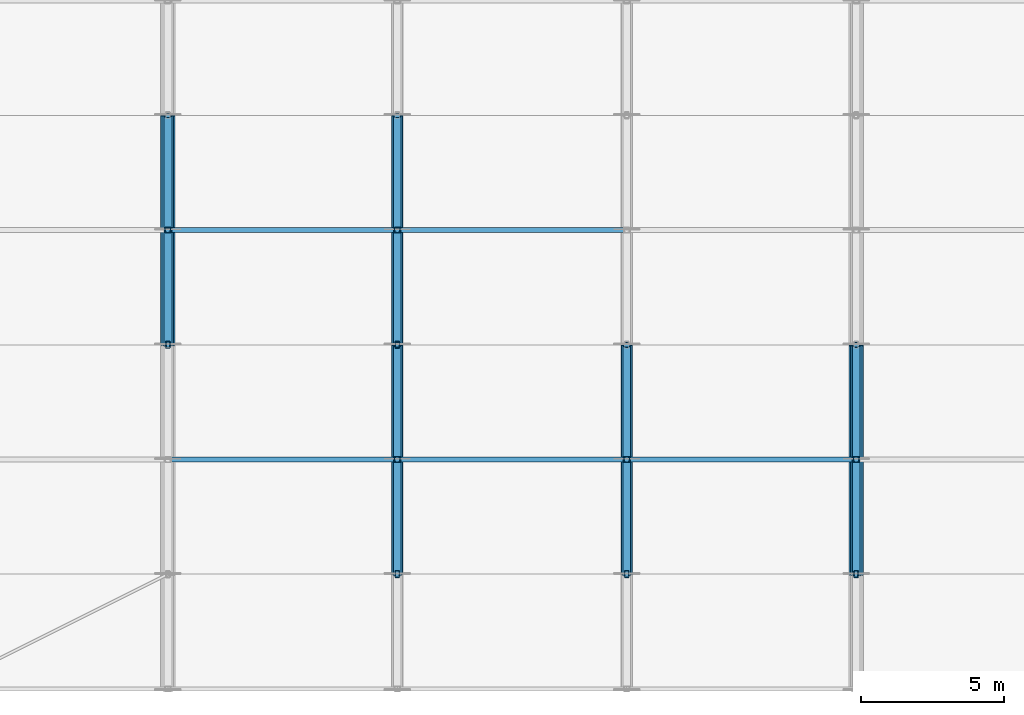
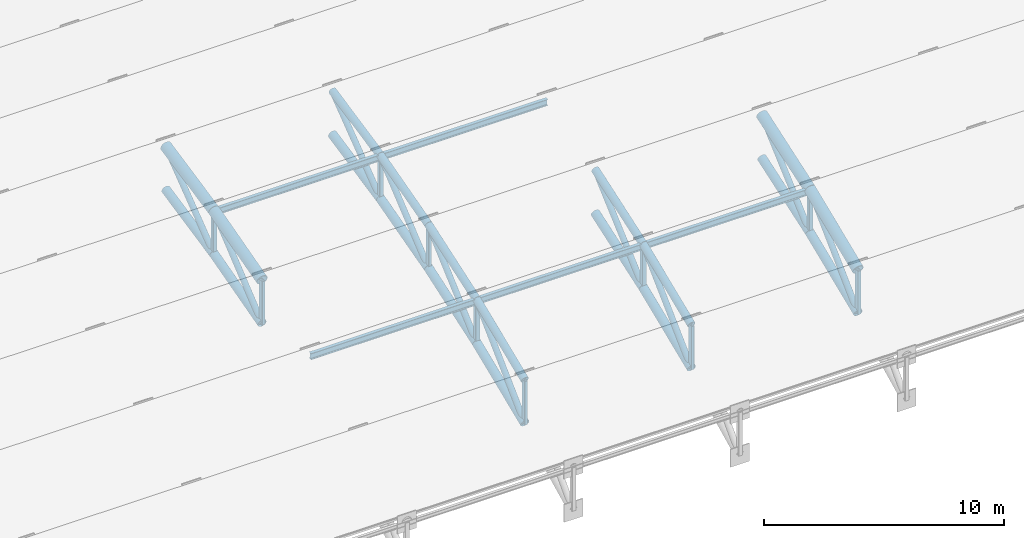
# One storey, part 27 of 98: 45 members.
"""IFC4 building model written with IfcOpenShell, lengths in metres."""

from ifc_helpers import new_model, si_unit, direction, frame, origin, origin_2d, place, context, subcontext, project, spatial, hollow_rectangle, hollow_circle, i_section, extrude, material, material_profile, profile_set, type_object, element, save


model = new_model("IFC4")

# Units and contexts
model_context = context("Model", 3, precision=1e-05, world=origin(), true_north=direction((0.0, 1.0)))
body_context = subcontext(model_context, "Body", "Model", "MODEL_VIEW")
ifc_project = project(units=[si_unit("LENGTHUNIT", "METRE"), si_unit("AREAUNIT", "SQUARE_METRE"), si_unit("VOLUMEUNIT", "CUBIC_METRE"), si_unit("PLANEANGLEUNIT", "RADIAN"), si_unit("MASSUNIT", "GRAM", prefix="KILO")], contexts=[model_context])

# Site, building, storey
site_placement = place(None, origin())
site = spatial("IfcSite", under=ifc_project, at=site_placement, CompositionType="ELEMENT")
building_placement = place(site_placement, origin())
building = spatial("IfcBuilding", under=site, at=building_placement, Name="Tlacozan Convention Centre", CompositionType="ELEMENT")
storey_placement = place(building_placement, frame((0.0, 0.0, 25.800048828125)))
storey = spatial("IfcBuildingStorey", under=building, at=storey_placement, Name="Roof", CompositionType="ELEMENT", Elevation=25.800048828125)

# Members
ifc_material_1 = material(Name="Steel ASTM A500 Grade C", Category="steel")
ifc_material_profile_1 = material_profile(ifc_material_1, hollow_circle(Radius=0.203125, WallThickness=0.015869140625, at=origin_2d()), Name="OC 406.4x15.9")
ifc_profile_set_1 = profile_set([ifc_material_profile_1], Name="Steel ASTM A500 Grade C")
member_type_1 = type_object("IfcMemberType", Name="Arch Bottom Chord OC 406.4x15.9", PredefinedType="CHORD", material=ifc_profile_set_1)
member_1_placement = place(storey_placement, frame((96.0, 74.0, -7.807861328125), z_axis=(0.0, 0.964289609145, 0.26485005134), x_axis=(-1.0, 0.0, 0.0)))
element("IfcMember", 1, at=member_1_placement, inside=storey, type_object=member_type_1, Name="V2A Roof Truss 13 Bottom Chord 4", PredefinedType="CHORD", context=body_context, shape_type="SweptSolid", body=[
    extrude(hollow_circle(Radius=0.203125, WallThickness=0.015869140625, at=origin_2d()), origin(), (0.0, 0.0, 1.0), 4.148193359375),
])
member_2_placement = place(storey_placement, frame((96.0, 78.0, -6.709228515625), z_axis=(0.0, 0.978552953366, 0.205995430674), x_axis=(-1.0, 0.0, 0.0)))
element("IfcMember", 2, at=member_2_placement, inside=storey, type_object=member_type_1, Name="V2A Roof Truss 13 Bottom Chord 5", PredefinedType="CHORD", context=body_context, shape_type="SweptSolid", body=[
    extrude(hollow_circle(Radius=0.203125, WallThickness=0.015869140625, at=origin_2d()), origin(), (0.0, 0.0, 1.0), 4.087646484375),
])
member_3_placement = place(storey_placement, frame((104.0, 66.0, -10.832275390625), z_axis=(0.0, 0.923948802258, 0.382516157575), x_axis=(-1.0, 0.0, 0.0)))
element("IfcMember", 3, at=member_3_placement, inside=storey, type_object=member_type_1, Name="V2A Roof Truss 14 Bottom Chord 2", PredefinedType="CHORD", context=body_context, shape_type="SweptSolid", body=[
    extrude(hollow_circle(Radius=0.203125, WallThickness=0.015869140625, at=origin_2d()), origin(), (0.0, 0.0, 1.0), 4.329345703125),
])
member_4_placement = place(storey_placement, frame((104.0, 70.0, -9.17626953125), z_axis=(0.0, 0.946164915813, 0.323684958077), x_axis=(-1.0, 0.0, 0.0)))
element("IfcMember", 4, at=member_4_placement, inside=storey, type_object=member_type_1, Name="V2A Roof Truss 14 Bottom Chord 3", PredefinedType="CHORD", context=body_context, shape_type="SweptSolid", body=[
    extrude(hollow_circle(Radius=0.203125, WallThickness=0.015869140625, at=origin_2d()), origin(), (0.0, 0.0, 1.0), 4.2275390625),
])
member_5_placement = place(storey_placement, frame((104.0, 74.0, -7.807861328125), z_axis=(0.0, 0.964289609145, 0.26485005134), x_axis=(-1.0, 0.0, 0.0)))
element("IfcMember", 5, at=member_5_placement, inside=storey, type_object=member_type_1, Name="V2A Roof Truss 14 Bottom Chord 4", PredefinedType="CHORD", context=body_context, shape_type="SweptSolid", body=[
    extrude(hollow_circle(Radius=0.203125, WallThickness=0.015869140625, at=origin_2d()), origin(), (0.0, 0.0, 1.0), 4.148193359375),
])
member_6_placement = place(storey_placement, frame((104.0, 78.0, -6.709228515625), z_axis=(0.0, 0.978552953366, 0.205995430674), x_axis=(-1.0, 0.0, 0.0)))
element("IfcMember", 6, at=member_6_placement, inside=storey, type_object=member_type_1, Name="V2A Roof Truss 14 Bottom Chord 5", PredefinedType="CHORD", context=body_context, shape_type="SweptSolid", body=[
    extrude(hollow_circle(Radius=0.203125, WallThickness=0.015869140625, at=origin_2d()), origin(), (0.0, 0.0, 1.0), 4.087646484375),
])
member_7_placement = place(storey_placement, frame((112.0, 66.0, -10.832275390625), z_axis=(0.0, 0.923948802258, 0.382516157575), x_axis=(-1.0, 0.0, 0.0)))
element("IfcMember", 7, at=member_7_placement, inside=storey, type_object=member_type_1, Name="V2A Roof Truss 15 Bottom Chord 2", PredefinedType="CHORD", context=body_context, shape_type="SweptSolid", body=[
    extrude(hollow_circle(Radius=0.203125, WallThickness=0.015869140625, at=origin_2d()), origin(), (0.0, 0.0, 1.0), 4.329345703125),
])
member_8_placement = place(storey_placement, frame((112.0, 70.0, -9.17626953125), z_axis=(0.0, 0.946164915813, 0.323684958077), x_axis=(-1.0, 0.0, 0.0)))
element("IfcMember", 8, at=member_8_placement, inside=storey, type_object=member_type_1, Name="V2A Roof Truss 15 Bottom Chord 3", PredefinedType="CHORD", context=body_context, shape_type="SweptSolid", body=[
    extrude(hollow_circle(Radius=0.203125, WallThickness=0.015869140625, at=origin_2d()), origin(), (0.0, 0.0, 1.0), 4.2275390625),
])
member_9_placement = place(storey_placement, frame((120.0, 66.0, -10.832275390625), z_axis=(0.0, 0.923948802258, 0.382516157575), x_axis=(-1.0, 0.0, 0.0)))
element("IfcMember", 9, at=member_9_placement, inside=storey, type_object=member_type_1, Name="V2A Roof Truss 16 Bottom Chord 2", PredefinedType="CHORD", context=body_context, shape_type="SweptSolid", body=[
    extrude(hollow_circle(Radius=0.203125, WallThickness=0.015869140625, at=origin_2d()), origin(), (0.0, 0.0, 1.0), 4.329345703125),
])
member_10_placement = place(storey_placement, frame((120.0, 70.0, -9.17626953125), z_axis=(0.0, 0.946164915813, 0.323684958077), x_axis=(-1.0, 0.0, 0.0)))
element("IfcMember", 10, at=member_10_placement, inside=storey, type_object=member_type_1, Name="V2A Roof Truss 16 Bottom Chord 3", PredefinedType="CHORD", context=body_context, shape_type="SweptSolid", body=[
    extrude(hollow_circle(Radius=0.203125, WallThickness=0.015869140625, at=origin_2d()), origin(), (0.0, 0.0, 1.0), 4.2275390625),
])
ifc_material_profile_2 = material_profile(ifc_material_1, hollow_circle(Radius=0.25390625, WallThickness=0.01904296875, at=origin_2d()), Name="OC 508.0x19.1")
ifc_profile_set_2 = profile_set([ifc_material_profile_2], Name="Steel ASTM A500 Grade C")
member_type_2 = type_object("IfcMemberType", Name="Arch Top Chord OC 508x19.1", PredefinedType="CHORD", material=ifc_profile_set_2)
member_11_placement = place(storey_placement, frame((96.0, 74.0, -5.607666015625), z_axis=(0.0, 0.964304639076, 0.264795322949), x_axis=(-1.0, 0.0, 0.0)))
element("IfcMember", 11, at=member_11_placement, inside=storey, type_object=member_type_2, Name="V2A Roof Truss 13 Top Chord 4", PredefinedType="CHORD", context=body_context, shape_type="SweptSolid", body=[
    extrude(hollow_circle(Radius=0.25390625, WallThickness=0.01904296875, at=origin_2d()), origin(), (0.0, 0.0, 1.0), 4.14794921875),
])
member_12_placement = place(storey_placement, frame((96.0, 78.0, -4.50927734375), z_axis=(0.0, 0.978552953366, 0.205995430674), x_axis=(-1.0, 0.0, 0.0)))
element("IfcMember", 12, at=member_12_placement, inside=storey, type_object=member_type_2, Name="V2A Roof Truss 13 Top Chord 5", PredefinedType="CHORD", context=body_context, shape_type="SweptSolid", body=[
    extrude(hollow_circle(Radius=0.25390625, WallThickness=0.01904296875, at=origin_2d()), origin(), (0.0, 0.0, 1.0), 4.087646484375),
])
member_13_placement = place(storey_placement, frame((120.0, 66.0, -8.63232421875), z_axis=(0.0, 0.923928870591, 0.382564297979), x_axis=(-1.0, 0.0, 0.0)))
element("IfcMember", 13, at=member_13_placement, inside=storey, type_object=member_type_2, Name="V2A Roof Truss 16 Top Chord 2", PredefinedType="CHORD", context=body_context, shape_type="SweptSolid", body=[
    extrude(hollow_circle(Radius=0.25390625, WallThickness=0.01904296875, at=origin_2d()), origin(), (0.0, 0.0, 1.0), 4.329345703125),
])
member_14_placement = place(storey_placement, frame((120.0, 70.0, -6.97607421875), z_axis=(0.0, 0.946164915813, 0.323684958077), x_axis=(-1.0, 0.0, 0.0)))
element("IfcMember", 14, at=member_14_placement, inside=storey, type_object=member_type_2, Name="V2A Roof Truss 16 Top Chord 3", PredefinedType="CHORD", context=body_context, shape_type="SweptSolid", body=[
    extrude(hollow_circle(Radius=0.25390625, WallThickness=0.01904296875, at=origin_2d()), origin(), (0.0, 0.0, 1.0), 4.2275390625),
])
ifc_material_profile_3 = material_profile(ifc_material_1, hollow_circle(Radius=0.136474609375, WallThickness=0.0126953125, at=origin_2d()), Name="OC 273.1x12.7")
ifc_profile_set_3 = profile_set([ifc_material_profile_3], Name="Steel ASTM A500 Grade C")
member_type_3 = type_object("IfcMemberType", Name="Arch Web Diagonal OC 273.1x12.7", PredefinedType="BRACE", material=ifc_profile_set_3)
member_15_placement = place(storey_placement, frame((96.0, 74.0, -7.807861328125), z_axis=(0.0, 0.771507331308, 0.63622043172), x_axis=(-1.0, 0.0, 0.0)))
element("IfcMember", 15, at=member_15_placement, inside=storey, type_object=member_type_3, Name="V2A Roof Truss 13 Web Diagonal 4", PredefinedType="BRACE", context=body_context, shape_type="SweptSolid", body=[
    extrude(hollow_circle(Radius=0.136474609375, WallThickness=0.0126953125, at=origin_2d()), origin(), (0.0, 0.0, 1.0), 5.1845703125),
])
member_16_placement = place(storey_placement, frame((96.0, 78.0, -6.709228515625), z_axis=(0.0, 0.795971176065, 0.605334524766), x_axis=(-1.0, 0.0, 0.0)))
element("IfcMember", 16, at=member_16_placement, inside=storey, type_object=member_type_3, Name="V2A Roof Truss 13 Web Diagonal 5", PredefinedType="BRACE", context=body_context, shape_type="SweptSolid", body=[
    extrude(hollow_circle(Radius=0.136474609375, WallThickness=0.0126953125, at=origin_2d()), origin(), (0.0, 0.0, 1.0), 5.025390625),
])
member_17_placement = place(storey_placement, frame((104.0, 66.0, -10.832275390625), z_axis=(0.0, 0.719928977367, 0.694047741547), x_axis=(-1.0, 0.0, 0.0)))
element("IfcMember", 17, at=member_17_placement, inside=storey, type_object=member_type_3, Name="V2A Roof Truss 14 Web Diagonal 2", PredefinedType="BRACE", context=body_context, shape_type="SweptSolid", body=[
    extrude(hollow_circle(Radius=0.136474609375, WallThickness=0.0126953125, at=origin_2d()), origin(), (0.0, 0.0, 1.0), 5.55615234375),
])
member_18_placement = place(storey_placement, frame((104.0, 70.0, -9.17626953125), z_axis=(0.0, 0.746199427712, 0.665722475272), x_axis=(-1.0, 0.0, 0.0)))
element("IfcMember", 18, at=member_18_placement, inside=storey, type_object=member_type_3, Name="V2A Roof Truss 14 Web Diagonal 3", PredefinedType="BRACE", context=body_context, shape_type="SweptSolid", body=[
    extrude(hollow_circle(Radius=0.136474609375, WallThickness=0.0126953125, at=origin_2d()), origin(), (0.0, 0.0, 1.0), 5.360595703125),
])
member_19_placement = place(storey_placement, frame((104.0, 74.0, -7.807861328125), z_axis=(0.0, 0.771507331308, 0.63622043172), x_axis=(-1.0, 0.0, 0.0)))
element("IfcMember", 19, at=member_19_placement, inside=storey, type_object=member_type_3, Name="V2A Roof Truss 14 Web Diagonal 4", PredefinedType="BRACE", context=body_context, shape_type="SweptSolid", body=[
    extrude(hollow_circle(Radius=0.136474609375, WallThickness=0.0126953125, at=origin_2d()), origin(), (0.0, 0.0, 1.0), 5.1845703125),
])
member_20_placement = place(storey_placement, frame((104.0, 78.0, -6.709228515625), z_axis=(0.0, 0.795971176065, 0.605334524766), x_axis=(-1.0, 0.0, 0.0)))
element("IfcMember", 20, at=member_20_placement, inside=storey, type_object=member_type_3, Name="V2A Roof Truss 14 Web Diagonal 5", PredefinedType="BRACE", context=body_context, shape_type="SweptSolid", body=[
    extrude(hollow_circle(Radius=0.136474609375, WallThickness=0.0126953125, at=origin_2d()), origin(), (0.0, 0.0, 1.0), 5.025390625),
])
member_21_placement = place(storey_placement, frame((112.0, 66.0, -10.832275390625), z_axis=(0.0, 0.719928977367, 0.694047741547), x_axis=(-1.0, 0.0, 0.0)))
element("IfcMember", 21, at=member_21_placement, inside=storey, type_object=member_type_3, Name="V2A Roof Truss 15 Web Diagonal 2", PredefinedType="BRACE", context=body_context, shape_type="SweptSolid", body=[
    extrude(hollow_circle(Radius=0.136474609375, WallThickness=0.0126953125, at=origin_2d()), origin(), (0.0, 0.0, 1.0), 5.55615234375),
])
member_22_placement = place(storey_placement, frame((112.0, 70.0, -9.17626953125), z_axis=(0.0, 0.746199427712, 0.665722475272), x_axis=(-1.0, 0.0, 0.0)))
element("IfcMember", 22, at=member_22_placement, inside=storey, type_object=member_type_3, Name="V2A Roof Truss 15 Web Diagonal 3", PredefinedType="BRACE", context=body_context, shape_type="SweptSolid", body=[
    extrude(hollow_circle(Radius=0.136474609375, WallThickness=0.0126953125, at=origin_2d()), origin(), (0.0, 0.0, 1.0), 5.360595703125),
])
member_23_placement = place(storey_placement, frame((120.0, 66.0, -10.832275390625), z_axis=(0.0, 0.719928977367, 0.694047741547), x_axis=(-1.0, 0.0, 0.0)))
element("IfcMember", 23, at=member_23_placement, inside=storey, type_object=member_type_3, Name="V2A Roof Truss 16 Web Diagonal 2", PredefinedType="BRACE", context=body_context, shape_type="SweptSolid", body=[
    extrude(hollow_circle(Radius=0.136474609375, WallThickness=0.0126953125, at=origin_2d()), origin(), (0.0, 0.0, 1.0), 5.55615234375),
])
member_24_placement = place(storey_placement, frame((120.0, 70.0, -9.17626953125), z_axis=(0.0, 0.746199427712, 0.665722475272), x_axis=(-1.0, 0.0, 0.0)))
element("IfcMember", 24, at=member_24_placement, inside=storey, type_object=member_type_3, Name="V2A Roof Truss 16 Web Diagonal 3", PredefinedType="BRACE", context=body_context, shape_type="SweptSolid", body=[
    extrude(hollow_circle(Radius=0.136474609375, WallThickness=0.0126953125, at=origin_2d()), origin(), (0.0, 0.0, 1.0), 5.360595703125),
])
ifc_material_profile_4 = material_profile(ifc_material_1, hollow_rectangle(XDim=0.203125, YDim=0.203125, WallThickness=0.0126953125, InnerFilletRadius=0.0126953125, OuterFilletRadius=0.02490234375, at=origin_2d()), Name="OR 203x203x12.7")
ifc_profile_set_4 = profile_set([ifc_material_profile_4], Name="Steel ASTM A500 Grade C")
member_type_4 = type_object("IfcMemberType", Name="Arch Web Strut OR 203x203x12.7", PredefinedType="STRUT", material=ifc_profile_set_4)
member_25_placement = place(storey_placement, frame((96.0, 78.0, -6.709228515625), z_axis=(0.0, 0.0, 1.0), x_axis=(1.0, 0.0, 0.0)))
element("IfcMember", 25, at=member_25_placement, inside=storey, type_object=member_type_4, Name="V2A Roof Truss 13 Vertical Strut 5", PredefinedType="STRUT", context=body_context, shape_type="SweptSolid", body=[
    extrude(hollow_rectangle(XDim=0.203125, YDim=0.203125, WallThickness=0.0126953125, InnerFilletRadius=0.0126953125, OuterFilletRadius=0.02490234375, at=origin_2d()), origin(), (0.0, 0.0, 1.0), 2.199951171875),
])
member_26_placement = place(storey_placement, frame((104.0, 70.0, -9.17626953125), z_axis=(0.0, 0.0, 1.0), x_axis=(1.0, 0.0, 0.0)))
element("IfcMember", 26, at=member_26_placement, inside=storey, type_object=member_type_4, Name="V2A Roof Truss 14 Vertical Strut 3", PredefinedType="STRUT", context=body_context, shape_type="SweptSolid", body=[
    extrude(hollow_rectangle(XDim=0.203125, YDim=0.203125, WallThickness=0.0126953125, InnerFilletRadius=0.0126953125, OuterFilletRadius=0.02490234375, at=origin_2d()), origin(), (0.0, 0.0, 1.0), 2.2001953125),
])
member_27_placement = place(storey_placement, frame((104.0, 78.0, -6.709228515625), z_axis=(0.0, 0.0, 1.0), x_axis=(1.0, 0.0, 0.0)))
element("IfcMember", 27, at=member_27_placement, inside=storey, type_object=member_type_4, Name="V2A Roof Truss 14 Vertical Strut 5", PredefinedType="STRUT", context=body_context, shape_type="SweptSolid", body=[
    extrude(hollow_rectangle(XDim=0.203125, YDim=0.203125, WallThickness=0.0126953125, InnerFilletRadius=0.0126953125, OuterFilletRadius=0.02490234375, at=origin_2d()), origin(), (0.0, 0.0, 1.0), 2.199951171875),
])
for number, where, z_axis, x_axis, name in (
    (28, (112.0, 70.0, -9.17626953125), (0.0, 0.0, 1.0), (1.0, 0.0, 0.0), "V2A Roof Truss 15 Vertical Strut 3"),
    (29, (120.0, 70.0, -9.17626953125), (0.0, 0.0, 1.0), (1.0, 0.0, 0.0), "V2A Roof Truss 16 Vertical Strut 3"),
):
    element("IfcMember", number, at=place(storey_placement, frame(where, z_axis=z_axis, x_axis=x_axis)), inside=storey, type_object=member_type_4, Name=name, PredefinedType="STRUT", context=body_context, shape_type="SweptSolid", body=[
        extrude(hollow_rectangle(XDim=0.203125, YDim=0.203125, WallThickness=0.0126953125, InnerFilletRadius=0.0126953125, OuterFilletRadius=0.02490234375, at=origin_2d()), origin(), (0.0, 0.0, 1.0), 2.2001953125),
    ])
ifc_material_2 = material(Name="Steel ASTM A992 Grade 50", Category="steel")
ifc_material_profile_5 = material_profile(ifc_material_2, i_section(OverallWidth=0.1669921875, OverallDepth=0.31689453125, WebThickness=0.007568359375, FlangeThickness=0.01318359375, FilletRadius=0.010009765625, at=origin_2d()), Name="IR 305x52.2")
ifc_profile_set_5 = profile_set([ifc_material_profile_5], Name="Steel ASTM A992 Grade 50")
member_type_5 = type_object("IfcMemberType", Name="Roof Purlin IR 305x52.2", PredefinedType="PURLIN", material=ifc_profile_set_5)
for number, where, z_axis, x_axis, name in (
    (30, (96.0, 70.0, -7.041259765625), (1.0, 0.0, 0.0), (0.0, 1.0, 0.0), "V2A Roof Truss Purlin 13.3"),
    (31, (96.0, 78.0, -4.57421875), (1.0, 0.0, 0.0), (0.0, 1.0, 0.0), "V2A Roof Truss Purlin 13.5"),
    (32, (104.0, 70.0, -7.041259765625), (1.0, 0.0, 0.0), (0.0, 1.0, 0.0), "V2A Roof Truss Purlin 14.3"),
    (33, (104.0, 78.0, -4.57421875), (1.0, 0.0, 0.0), (0.0, 1.0, 0.0), "V2A Roof Truss Purlin 14.5"),
    (34, (112.0, 70.0, -7.041259765625), (1.0, 0.0, 0.0), (0.0, 1.0, 0.0), "V2A Roof Truss Purlin 15.3"),
):
    element("IfcMember", number, at=place(storey_placement, frame(where, z_axis=z_axis, x_axis=x_axis)), inside=storey, type_object=member_type_5, Name=name, PredefinedType="PURLIN", context=body_context, shape_type="SweptSolid", body=[
        extrude(i_section(OverallWidth=0.1669921875, OverallDepth=0.31689453125, WebThickness=0.007568359375, FlangeThickness=0.01318359375, FilletRadius=0.010009765625, at=origin_2d()), origin(), (0.0, 0.0, 1.0), 8.0),
    ])
ifc_material_profile_6 = material_profile(ifc_material_1, hollow_circle(Radius=0.177734375, WallThickness=0.015869140625, at=origin_2d()), Name="OC 355.6x15.9")
ifc_profile_set_6 = profile_set([ifc_material_profile_6], Name="Steel ASTM A500 Grade C")
member_type_6 = type_object("IfcMemberType", Name="Secondary Arch Chord OC 355.6x15.9", PredefinedType="CHORD", material=ifc_profile_set_6)
member_28_placement = place(storey_placement, frame((104.0, 66.0, -8.63232421875), z_axis=(0.0, 0.923928870591, 0.382564297979), x_axis=(-1.0, 0.0, 0.0)))
element("IfcMember", 35, at=member_28_placement, inside=storey, type_object=member_type_6, Name="V2A Roof Truss 14 Top Chord 2", PredefinedType="CHORD", context=body_context, shape_type="SweptSolid", body=[
    extrude(hollow_circle(Radius=0.177734375, WallThickness=0.015869140625, at=origin_2d()), origin(), (0.0, 0.0, 1.0), 4.329345703125),
])
member_29_placement = place(storey_placement, frame((104.0, 70.0, -6.97607421875), z_axis=(0.0, 0.946164915813, 0.323684958077), x_axis=(-1.0, 0.0, 0.0)))
element("IfcMember", 36, at=member_29_placement, inside=storey, type_object=member_type_6, Name="V2A Roof Truss 14 Top Chord 3", PredefinedType="CHORD", context=body_context, shape_type="SweptSolid", body=[
    extrude(hollow_circle(Radius=0.177734375, WallThickness=0.015869140625, at=origin_2d()), origin(), (0.0, 0.0, 1.0), 4.2275390625),
])
member_30_placement = place(storey_placement, frame((104.0, 74.0, -5.607666015625), z_axis=(0.0, 0.964304639076, 0.264795322949), x_axis=(-1.0, 0.0, 0.0)))
element("IfcMember", 37, at=member_30_placement, inside=storey, type_object=member_type_6, Name="V2A Roof Truss 14 Top Chord 4", PredefinedType="CHORD", context=body_context, shape_type="SweptSolid", body=[
    extrude(hollow_circle(Radius=0.177734375, WallThickness=0.015869140625, at=origin_2d()), origin(), (0.0, 0.0, 1.0), 4.14794921875),
])
member_31_placement = place(storey_placement, frame((104.0, 78.0, -4.50927734375), z_axis=(0.0, 0.978552953366, 0.205995430674), x_axis=(-1.0, 0.0, 0.0)))
element("IfcMember", 38, at=member_31_placement, inside=storey, type_object=member_type_6, Name="V2A Roof Truss 14 Top Chord 5", PredefinedType="CHORD", context=body_context, shape_type="SweptSolid", body=[
    extrude(hollow_circle(Radius=0.177734375, WallThickness=0.015869140625, at=origin_2d()), origin(), (0.0, 0.0, 1.0), 4.087646484375),
])
member_32_placement = place(storey_placement, frame((112.0, 66.0, -8.63232421875), z_axis=(0.0, 0.923928870591, 0.382564297979), x_axis=(-1.0, 0.0, 0.0)))
element("IfcMember", 39, at=member_32_placement, inside=storey, type_object=member_type_6, Name="V2A Roof Truss 15 Top Chord 2", PredefinedType="CHORD", context=body_context, shape_type="SweptSolid", body=[
    extrude(hollow_circle(Radius=0.177734375, WallThickness=0.015869140625, at=origin_2d()), origin(), (0.0, 0.0, 1.0), 4.329345703125),
])
member_33_placement = place(storey_placement, frame((112.0, 70.0, -6.97607421875), z_axis=(0.0, 0.946164915813, 0.323684958077), x_axis=(-1.0, 0.0, 0.0)))
element("IfcMember", 40, at=member_33_placement, inside=storey, type_object=member_type_6, Name="V2A Roof Truss 15 Top Chord 3", PredefinedType="CHORD", context=body_context, shape_type="SweptSolid", body=[
    extrude(hollow_circle(Radius=0.177734375, WallThickness=0.015869140625, at=origin_2d()), origin(), (0.0, 0.0, 1.0), 4.2275390625),
])
ifc_material_profile_7 = material_profile(ifc_material_1, hollow_rectangle(XDim=0.15234375, YDim=0.25390625, WallThickness=0.0126953125, InnerFilletRadius=0.0126953125, OuterFilletRadius=0.02490234375, at=origin_2d()), Name="OR 254x152x12.7")
ifc_profile_set_7 = profile_set([ifc_material_profile_7], Name="Steel ASTM A500 Grade C")
member_type_7 = type_object("IfcMemberType", Name="Truss Secondary Strut OR 254x152x12.7", PredefinedType="STRUT", material=ifc_profile_set_7)
member_34_placement = place(storey_placement, frame((96.0, 74.0, -7.807861328125), z_axis=(0.0, 0.0, 1.0), x_axis=(1.0, 0.0, 0.0)))
element("IfcMember", 41, at=member_34_placement, inside=storey, type_object=member_type_7, Name="V2A Roof Truss 13 Vertical Strut 4", PredefinedType="STRUT", context=body_context, shape_type="SweptSolid", body=[
    extrude(hollow_rectangle(XDim=0.15234375, YDim=0.25390625, WallThickness=0.0126953125, InnerFilletRadius=0.0126953125, OuterFilletRadius=0.02490234375, at=origin_2d()), origin(), (0.0, 0.0, 1.0), 2.2001953125),
])
member_35_placement = place(storey_placement, frame((104.0, 66.0, -10.832275390625), z_axis=(0.0, 0.0, 1.0), x_axis=(1.0, 0.0, 0.0)))
element("IfcMember", 42, at=member_35_placement, inside=storey, type_object=member_type_7, Name="V2A Roof Truss 14 Vertical Strut 2", PredefinedType="STRUT", context=body_context, shape_type="SweptSolid", body=[
    extrude(hollow_rectangle(XDim=0.15234375, YDim=0.25390625, WallThickness=0.0126953125, InnerFilletRadius=0.0126953125, OuterFilletRadius=0.02490234375, at=origin_2d()), origin(), (0.0, 0.0, 1.0), 2.199951171875),
])
member_36_placement = place(storey_placement, frame((104.0, 74.0, -7.807861328125), z_axis=(0.0, 0.0, 1.0), x_axis=(1.0, 0.0, 0.0)))
element("IfcMember", 43, at=member_36_placement, inside=storey, type_object=member_type_7, Name="V2A Roof Truss 14 Vertical Strut 4", PredefinedType="STRUT", context=body_context, shape_type="SweptSolid", body=[
    extrude(hollow_rectangle(XDim=0.15234375, YDim=0.25390625, WallThickness=0.0126953125, InnerFilletRadius=0.0126953125, OuterFilletRadius=0.02490234375, at=origin_2d()), origin(), (0.0, 0.0, 1.0), 2.2001953125),
])
for number, where, z_axis, x_axis, name in (
    (44, (112.0, 66.0, -10.832275390625), (0.0, 0.0, 1.0), (1.0, 0.0, 0.0), "V2A Roof Truss 15 Vertical Strut 2"),
    (45, (120.0, 66.0, -10.832275390625), (0.0, 0.0, 1.0), (1.0, 0.0, 0.0), "V2A Roof Truss 16 Vertical Strut 2"),
):
    element("IfcMember", number, at=place(storey_placement, frame(where, z_axis=z_axis, x_axis=x_axis)), inside=storey, type_object=member_type_7, Name=name, PredefinedType="STRUT", context=body_context, shape_type="SweptSolid", body=[
        extrude(hollow_rectangle(XDim=0.15234375, YDim=0.25390625, WallThickness=0.0126953125, InnerFilletRadius=0.0126953125, OuterFilletRadius=0.02490234375, at=origin_2d()), origin(), (0.0, 0.0, 1.0), 2.199951171875),
    ])

save(model, "model.ifc")
